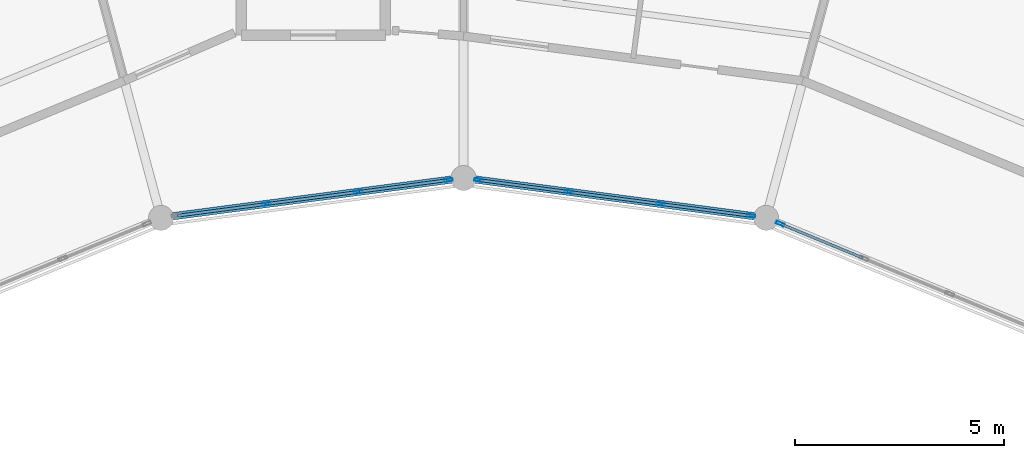
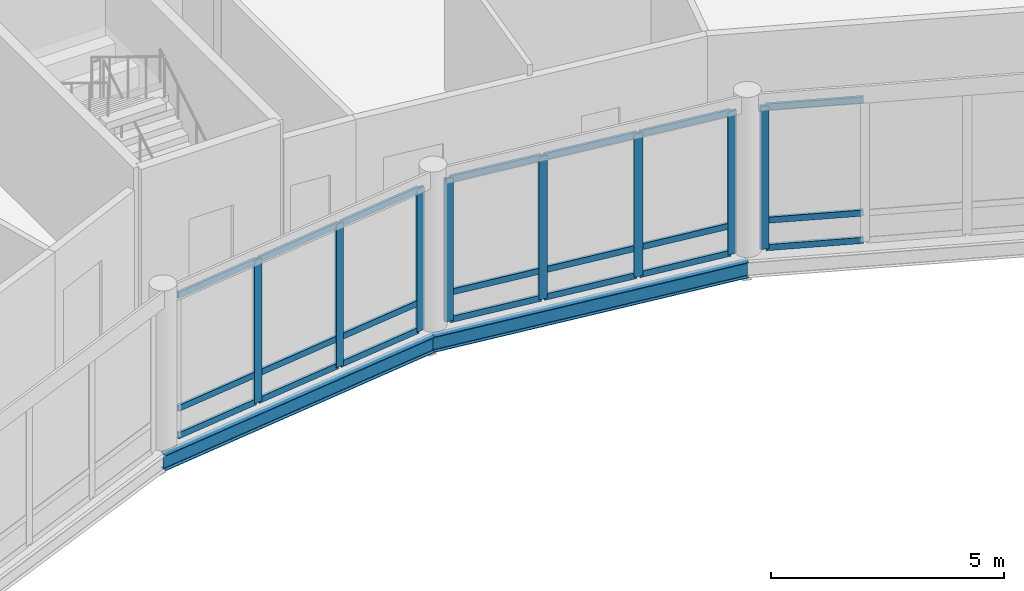
# One storey, part 78 of 170: 29 members, 2 beams, 3 elements without a shape of their own.
"""IFC4 building model written with IfcOpenShell, lengths in metres."""

from ifc_helpers import new_model, si_unit, direction, frame, origin, origin_2d, place, context, subcontext, project, spatial, hollow_rectangle, i_section, extrude, material, material_profile, profile_set, type_object, element, aggregate, save


model = new_model("IFC4")

# Units and contexts
model_context = context("Model", 3, precision=1e-05, world=origin(), true_north=direction((0.0, 1.0)))
body_context = subcontext(model_context, "Body", "Model", "MODEL_VIEW")
ifc_project = project(units=[si_unit("LENGTHUNIT", "METRE"), si_unit("AREAUNIT", "SQUARE_METRE"), si_unit("VOLUMEUNIT", "CUBIC_METRE"), si_unit("PLANEANGLEUNIT", "RADIAN"), si_unit("MASSUNIT", "GRAM", prefix="KILO")], contexts=[model_context])

# Site, building, storey
site_placement = place(None, origin())
site = spatial("IfcSite", under=ifc_project, at=site_placement, CompositionType="ELEMENT")
building_placement = place(site_placement, origin())
building = spatial("IfcBuilding", under=site, at=building_placement, Name="Vondelvale Polytechnic", CompositionType="ELEMENT")
storey_placement = place(building_placement, frame((0.0, 0.0, 5.39990234375)))
storey = spatial("IfcBuildingStorey", under=building, at=storey_placement, Name="L01", CompositionType="ELEMENT", Elevation=5.39990234375)

# Beams
ifc_material_1 = material(Name="Steel 300PLUS (fy = 300 MPa)", Category="steel")
ifc_material_profile_1 = material_profile(ifc_material_1, i_section(OverallWidth=0.177978515625, OverallDepth=0.406005859375, WebThickness=0.0078125, FlangeThickness=0.0126953125, FilletRadius=0.011474609375, at=origin_2d()), Name="410UB59.7")
ifc_profile_set_1 = profile_set([ifc_material_profile_1], Name="Steel 300PLUS (fy = 300 MPa)")
beam_type = type_object("IfcBeamType", Name="BM-UB410", PredefinedType="BEAM", material=ifc_profile_set_1)
for number, where, z_axis, x_axis, name in (
    (1, (109.246826171875, 99.0458984375, -0.48291015625), (-0.991444174467, 0.13053140969, 0.0), (-0.13053140969, -0.991444174467, 0.0), "L01 RB B-14"),
    (2, (102.0, 100.0, -0.48291015625), (-0.991444174467, -0.13053140969, 0.0), (0.13053140969, -0.991444174467, 0.0), "L01 RB B-14"),
):
    element("IfcBeam", number, at=place(storey_placement, frame(where, z_axis=z_axis, x_axis=x_axis)), inside=storey, type_object=beam_type, Name=name, PredefinedType="BEAM", context=body_context, shape_type="SweptSolid", body=[
        extrude(i_section(OverallWidth=0.177978515625, OverallDepth=0.406005859375, WebThickness=0.0078125, FlangeThickness=0.0126953125, FilletRadius=0.011474609375, at=origin_2d()), origin(), (0.0, 0.0, 1.0), 7.309326171875),
    ])

# Curtain wall, member
ifc_material_2 = material(Name="Anodised extruded aluminium 6063-T6", Category="aluminium")
curtain_wall_type = type_object("IfcCurtainWallType", Name="CW-RING-CLOISTER", PredefinedType="NOTDEFINED", material=ifc_material_2)
curtain_wall_1_placement = place(storey_placement, origin())
curtain_wall_1 = element("IfcCurtainWall", 3, at=curtain_wall_1_placement, inside=storey, type_object=curtain_wall_type, Name="L01 architectural curtain wall CW-03-115", PredefinedType="NOTDEFINED")
ifc_material_profile_2 = material_profile(ifc_material_2, hollow_rectangle(XDim=0.070068359375, YDim=0.199951171875, WallThickness=0.00390625, at=origin_2d()), Name="CW-MUL-200x70")
ifc_profile_set_2 = profile_set([ifc_material_profile_2], Name="Anodised extruded aluminium 6063-T6")
member_type_1 = type_object("IfcMemberType", Name="CW-MUL-70x200", PredefinedType="MULLION", material=ifc_profile_set_2)
member_1_placement = place(storey_placement, frame((109.584228515625, 98.90625, 0.0), z_axis=(0.0, 0.0, 1.0), x_axis=(-0.382678531697, -0.923881562419, 0.0)))
member_1 = element("IfcMember", 4, at=member_1_placement, type_object=member_type_1, Name="CW-03-115 mullion 4", PredefinedType="MULLION", context=body_context, shape_type="SweptSolid", body=[
    extrude(hollow_rectangle(XDim=0.070068359375, YDim=0.199951171875, WallThickness=0.00390625, at=origin_2d()), origin(), (0.0, 0.0, 1.0), 3.75),
])

# Curtain wall, members
curtain_wall_2_placement = place(storey_placement, origin())
curtain_wall_2 = element("IfcCurtainWall", 5, at=curtain_wall_2_placement, inside=storey, type_object=curtain_wall_type, Name="L01 architectural curtain wall CW-03-135", PredefinedType="NOTDEFINED")
member_2_placement = place(storey_placement, frame((108.886474609375, 99.09326171875, 0.0), z_axis=(0.0, 0.0, 1.0), x_axis=(-0.130528007165, -0.99144462243, 0.0)))
member_2 = element("IfcMember", 6, at=member_2_placement, type_object=member_type_1, Name="CW-03-135 mullion 1", PredefinedType="MULLION", context=body_context, shape_type="SweptSolid", body=[
    extrude(hollow_rectangle(XDim=0.070068359375, YDim=0.199951171875, WallThickness=0.00390625, at=origin_2d()), origin(), (0.0, 0.0, 1.0), 3.75),
])
member_3_placement = place(storey_placement, frame((106.72265625, 99.378173828125, 0.0), z_axis=(0.0, 0.0, 1.0), x_axis=(-0.130528007165, -0.99144462243, 0.0)))
member_3 = element("IfcMember", 7, at=member_3_placement, type_object=member_type_1, Name="CW-03-135 mullion 2", PredefinedType="MULLION", context=body_context, shape_type="SweptSolid", body=[
    extrude(hollow_rectangle(XDim=0.070068359375, YDim=0.199951171875, WallThickness=0.00390625, at=origin_2d()), origin(), (0.0, 0.0, 1.0), 3.75),
])
member_4_placement = place(storey_placement, frame((104.524169921875, 99.667724609375, 0.0), z_axis=(0.0, 0.0, 1.0), x_axis=(-0.130528007165, -0.99144462243, 0.0)))
member_4 = element("IfcMember", 8, at=member_4_placement, type_object=member_type_1, Name="CW-03-135 mullion 3", PredefinedType="MULLION", context=body_context, shape_type="SweptSolid", body=[
    extrude(hollow_rectangle(XDim=0.070068359375, YDim=0.199951171875, WallThickness=0.00390625, at=origin_2d()), origin(), (0.0, 0.0, 1.0), 3.75),
])
member_5_placement = place(storey_placement, frame((102.360595703125, 99.95263671875, 0.0), z_axis=(0.0, 0.0, 1.0), x_axis=(-0.130528007165, -0.99144462243, 0.0)))
member_5 = element("IfcMember", 9, at=member_5_placement, type_object=member_type_1, Name="CW-03-135 mullion 4", PredefinedType="MULLION", context=body_context, shape_type="SweptSolid", body=[
    extrude(hollow_rectangle(XDim=0.070068359375, YDim=0.199951171875, WallThickness=0.00390625, at=origin_2d()), origin(), (0.0, 0.0, 1.0), 3.75),
])

curtain_wall_3_placement = place(storey_placement, origin())
curtain_wall_3 = element("IfcCurtainWall", 10, at=curtain_wall_3_placement, inside=storey, type_object=curtain_wall_type, Name="L01 architectural curtain wall CW-03-155", PredefinedType="NOTDEFINED")
member_6_placement = place(storey_placement, frame((101.639404296875, 99.95263671875, 0.0), z_axis=(0.0, 0.0, 1.0), x_axis=(0.130528007165, -0.99144462243, 0.0)))
member_6 = element("IfcMember", 11, at=member_6_placement, type_object=member_type_1, Name="CW-03-155 mullion 1", PredefinedType="MULLION", context=body_context, shape_type="SweptSolid", body=[
    extrude(hollow_rectangle(XDim=0.070068359375, YDim=0.199951171875, WallThickness=0.00390625, at=origin_2d()), origin(), (0.0, 0.0, 1.0), 3.75),
])
member_7_placement = place(storey_placement, frame((99.475830078125, 99.667724609375, 0.0), z_axis=(0.0, 0.0, 1.0), x_axis=(0.130528007165, -0.99144462243, 0.0)))
member_7 = element("IfcMember", 12, at=member_7_placement, type_object=member_type_1, Name="CW-03-155 mullion 2", PredefinedType="MULLION", context=body_context, shape_type="SweptSolid", body=[
    extrude(hollow_rectangle(XDim=0.070068359375, YDim=0.199951171875, WallThickness=0.00390625, at=origin_2d()), origin(), (0.0, 0.0, 1.0), 3.75),
])
member_8_placement = place(storey_placement, frame((97.27734375, 99.378173828125, 0.0), z_axis=(0.0, 0.0, 1.0), x_axis=(0.130528007165, -0.99144462243, 0.0)))
member_8 = element("IfcMember", 13, at=member_8_placement, type_object=member_type_1, Name="CW-03-155 mullion 3", PredefinedType="MULLION", context=body_context, shape_type="SweptSolid", body=[
    extrude(hollow_rectangle(XDim=0.070068359375, YDim=0.199951171875, WallThickness=0.00390625, at=origin_2d()), origin(), (0.0, 0.0, 1.0), 3.75),
])

# Member
ifc_material_profile_3 = material_profile(ifc_material_2, hollow_rectangle(XDim=0.06494140625, YDim=0.159912109375, WallThickness=0.00341796875, at=origin_2d()), Name="CW-TRN-160x65")
ifc_profile_set_3 = profile_set([ifc_material_profile_3], Name="Anodised extruded aluminium 6063-T6")
member_type_2 = type_object("IfcMemberType", Name="CW-TRN-70x160", PredefinedType="USERDEFINED", material=ifc_profile_set_3)
member_9_placement = place(storey_placement, frame((111.567138671875, 98.084716796875, 0.03271484375), z_axis=(-0.923861804277, 0.382726229306, 0.0), x_axis=(-0.382726229306, -0.923861804277, 0.0)))
member_9 = element("IfcMember", 14, at=member_9_placement, type_object=member_type_2, Name="CW-03-115 transom 3.1", ObjectType="TRANSOM", PredefinedType="USERDEFINED", context=body_context, shape_type="SweptSolid", body=[
    extrude(hollow_rectangle(XDim=0.06494140625, YDim=0.159912109375, WallThickness=0.00341796875, at=origin_2d()), origin(), (0.0, 0.0, 1.0), 2.111328125),
])

member_10_placement = place(storey_placement, frame((111.567138671875, 98.084716796875, 0.75), z_axis=(-0.923861804277, 0.382726229306, 0.0), x_axis=(-0.382726229306, -0.923861804277, 0.0)))
member_10 = element("IfcMember", 15, at=member_10_placement, type_object=member_type_2, Name="CW-03-115 transom 3.2", ObjectType="TRANSOM", PredefinedType="USERDEFINED", context=body_context, shape_type="SweptSolid", body=[
    extrude(hollow_rectangle(XDim=0.06494140625, YDim=0.159912109375, WallThickness=0.00341796875, at=origin_2d()), origin(), (0.0, 0.0, 1.0), 2.111328125),
])

member_11_placement = place(storey_placement, frame((111.567138671875, 98.084716796875, 3.717529296875), z_axis=(-0.923861804277, 0.382726229306, 0.0), x_axis=(-0.382726229306, -0.923861804277, 0.0)))
member_11 = element("IfcMember", 16, at=member_11_placement, type_object=member_type_2, Name="CW-03-115 transom 3.3", ObjectType="TRANSOM", PredefinedType="USERDEFINED", context=body_context, shape_type="SweptSolid", body=[
    extrude(hollow_rectangle(XDim=0.06494140625, YDim=0.159912109375, WallThickness=0.00341796875, at=origin_2d()), origin(), (0.0, 0.0, 1.0), 2.111328125),
])

aggregate(curtain_wall_1, [member_1, member_9, member_10, member_11])

member_12_placement = place(storey_placement, frame((108.851806640625, 99.097900390625, 0.03271484375), z_axis=(-0.991436585775, 0.130589036243, 0.0), x_axis=(-0.130589036243, -0.991436585775, 0.0)))
member_12 = element("IfcMember", 17, at=member_12_placement, type_object=member_type_2, Name="CW-03-135 transom 1.1", ObjectType="TRANSOM", PredefinedType="USERDEFINED", context=body_context, shape_type="SweptSolid", body=[
    extrude(hollow_rectangle(XDim=0.06494140625, YDim=0.159912109375, WallThickness=0.00341796875, at=origin_2d()), origin(), (0.0, 0.0, 1.0), 2.112548828125),
])

member_13_placement = place(storey_placement, frame((108.851806640625, 99.097900390625, 0.75), z_axis=(-0.991436585775, 0.130589036243, 0.0), x_axis=(-0.130589036243, -0.991436585775, 0.0)))
member_13 = element("IfcMember", 18, at=member_13_placement, type_object=member_type_2, Name="CW-03-135 transom 1.2", ObjectType="TRANSOM", PredefinedType="USERDEFINED", context=body_context, shape_type="SweptSolid", body=[
    extrude(hollow_rectangle(XDim=0.06494140625, YDim=0.159912109375, WallThickness=0.00341796875, at=origin_2d()), origin(), (0.0, 0.0, 1.0), 2.112548828125),
])

member_14_placement = place(storey_placement, frame((108.851806640625, 99.097900390625, 3.717529296875), z_axis=(-0.991436585775, 0.130589036243, 0.0), x_axis=(-0.130589036243, -0.991436585775, 0.0)))
member_14 = element("IfcMember", 19, at=member_14_placement, type_object=member_type_2, Name="CW-03-135 transom 1.3", ObjectType="TRANSOM", PredefinedType="USERDEFINED", context=body_context, shape_type="SweptSolid", body=[
    extrude(hollow_rectangle(XDim=0.06494140625, YDim=0.159912109375, WallThickness=0.00341796875, at=origin_2d()), origin(), (0.0, 0.0, 1.0), 2.112548828125),
])

member_15_placement = place(storey_placement, frame((106.68798828125, 99.3828125, 0.03271484375), z_axis=(-0.991446941977, 0.1305103875, 0.0), x_axis=(-0.1305103875, -0.991446941977, 0.0)))
member_15 = element("IfcMember", 20, at=member_15_placement, type_object=member_type_2, Name="CW-03-135 transom 2.1", ObjectType="TRANSOM", PredefinedType="USERDEFINED", context=body_context, shape_type="SweptSolid", body=[
    extrude(hollow_rectangle(XDim=0.06494140625, YDim=0.159912109375, WallThickness=0.00341796875, at=origin_2d()), origin(), (0.0, 0.0, 1.0), 2.1474609375),
])

member_16_placement = place(storey_placement, frame((106.68798828125, 99.3828125, 0.75), z_axis=(-0.991446941977, 0.1305103875, 0.0), x_axis=(-0.1305103875, -0.991446941977, 0.0)))
member_16 = element("IfcMember", 21, at=member_16_placement, type_object=member_type_2, Name="CW-03-135 transom 2.2", ObjectType="TRANSOM", PredefinedType="USERDEFINED", context=body_context, shape_type="SweptSolid", body=[
    extrude(hollow_rectangle(XDim=0.06494140625, YDim=0.159912109375, WallThickness=0.00341796875, at=origin_2d()), origin(), (0.0, 0.0, 1.0), 2.1474609375),
])

member_17_placement = place(storey_placement, frame((106.68798828125, 99.3828125, 3.717529296875), z_axis=(-0.991446941977, 0.1305103875, 0.0), x_axis=(-0.1305103875, -0.991446941977, 0.0)))
member_17 = element("IfcMember", 22, at=member_17_placement, type_object=member_type_2, Name="CW-03-135 transom 2.3", ObjectType="TRANSOM", PredefinedType="USERDEFINED", context=body_context, shape_type="SweptSolid", body=[
    extrude(hollow_rectangle(XDim=0.06494140625, YDim=0.159912109375, WallThickness=0.00341796875, at=origin_2d()), origin(), (0.0, 0.0, 1.0), 2.1474609375),
])

member_18_placement = place(storey_placement, frame((104.489501953125, 99.672119140625, 0.03271484375), z_axis=(-0.99143461464, 0.130604000296, 0.0), x_axis=(-0.130604000296, -0.99143461464, 0.0)))
member_18 = element("IfcMember", 23, at=member_18_placement, type_object=member_type_2, Name="CW-03-135 transom 3.1", ObjectType="TRANSOM", PredefinedType="USERDEFINED", context=body_context, shape_type="SweptSolid", body=[
    extrude(hollow_rectangle(XDim=0.06494140625, YDim=0.159912109375, WallThickness=0.00341796875, at=origin_2d()), origin(), (0.0, 0.0, 1.0), 2.1123046875),
])

member_19_placement = place(storey_placement, frame((104.489501953125, 99.672119140625, 0.75), z_axis=(-0.99143461464, 0.130604000296, 0.0), x_axis=(-0.130604000296, -0.99143461464, 0.0)))
member_19 = element("IfcMember", 24, at=member_19_placement, type_object=member_type_2, Name="CW-03-135 transom 3.2", ObjectType="TRANSOM", PredefinedType="USERDEFINED", context=body_context, shape_type="SweptSolid", body=[
    extrude(hollow_rectangle(XDim=0.06494140625, YDim=0.159912109375, WallThickness=0.00341796875, at=origin_2d()), origin(), (0.0, 0.0, 1.0), 2.1123046875),
])

member_20_placement = place(storey_placement, frame((104.489501953125, 99.672119140625, 3.717529296875), z_axis=(-0.99143461464, 0.130604000296, 0.0), x_axis=(-0.130604000296, -0.99143461464, 0.0)))
member_20 = element("IfcMember", 25, at=member_20_placement, type_object=member_type_2, Name="CW-03-135 transom 3.3", ObjectType="TRANSOM", PredefinedType="USERDEFINED", context=body_context, shape_type="SweptSolid", body=[
    extrude(hollow_rectangle(XDim=0.06494140625, YDim=0.159912109375, WallThickness=0.00341796875, at=origin_2d()), origin(), (0.0, 0.0, 1.0), 2.1123046875),
])

aggregate(curtain_wall_2, [member_2, member_3, member_4, member_5, member_12, member_13, member_14, member_15, member_16, member_17, member_18, member_19, member_20])

member_21_placement = place(storey_placement, frame((101.604736328125, 99.947998046875, 0.03271484375), z_axis=(-0.99143461464, -0.130604000296, 0.0), x_axis=(0.130604000296, -0.99143461464, 0.0)))
member_21 = element("IfcMember", 26, at=member_21_placement, type_object=member_type_2, Name="CW-03-155 transom 1.1", ObjectType="TRANSOM", PredefinedType="USERDEFINED", context=body_context, shape_type="SweptSolid", body=[
    extrude(hollow_rectangle(XDim=0.06494140625, YDim=0.159912109375, WallThickness=0.00341796875, at=origin_2d()), origin(), (0.0, 0.0, 1.0), 2.1123046875),
])

member_22_placement = place(storey_placement, frame((101.604736328125, 99.947998046875, 0.75), z_axis=(-0.99143461464, -0.130604000296, 0.0), x_axis=(0.130604000296, -0.99143461464, 0.0)))
member_22 = element("IfcMember", 27, at=member_22_placement, type_object=member_type_2, Name="CW-03-155 transom 1.2", ObjectType="TRANSOM", PredefinedType="USERDEFINED", context=body_context, shape_type="SweptSolid", body=[
    extrude(hollow_rectangle(XDim=0.06494140625, YDim=0.159912109375, WallThickness=0.00341796875, at=origin_2d()), origin(), (0.0, 0.0, 1.0), 2.1123046875),
])

member_23_placement = place(storey_placement, frame((101.604736328125, 99.947998046875, 3.717529296875), z_axis=(-0.99143461464, -0.130604000296, 0.0), x_axis=(0.130604000296, -0.99143461464, 0.0)))
member_23 = element("IfcMember", 28, at=member_23_placement, type_object=member_type_2, Name="CW-03-155 transom 1.3", ObjectType="TRANSOM", PredefinedType="USERDEFINED", context=body_context, shape_type="SweptSolid", body=[
    extrude(hollow_rectangle(XDim=0.06494140625, YDim=0.159912109375, WallThickness=0.00341796875, at=origin_2d()), origin(), (0.0, 0.0, 1.0), 2.1123046875),
])

member_24_placement = place(storey_placement, frame((99.441162109375, 99.6630859375, 0.03271484375), z_axis=(-0.991446941977, -0.1305103875, 0.0), x_axis=(0.1305103875, -0.991446941977, 0.0)))
member_24 = element("IfcMember", 29, at=member_24_placement, type_object=member_type_2, Name="CW-03-155 transom 2.1", ObjectType="TRANSOM", PredefinedType="USERDEFINED", context=body_context, shape_type="SweptSolid", body=[
    extrude(hollow_rectangle(XDim=0.06494140625, YDim=0.159912109375, WallThickness=0.00341796875, at=origin_2d()), origin(), (0.0, 0.0, 1.0), 2.1474609375),
])

member_25_placement = place(storey_placement, frame((99.441162109375, 99.6630859375, 0.75), z_axis=(-0.991446941977, -0.1305103875, 0.0), x_axis=(0.1305103875, -0.991446941977, 0.0)))
member_25 = element("IfcMember", 30, at=member_25_placement, type_object=member_type_2, Name="CW-03-155 transom 2.2", ObjectType="TRANSOM", PredefinedType="USERDEFINED", context=body_context, shape_type="SweptSolid", body=[
    extrude(hollow_rectangle(XDim=0.06494140625, YDim=0.159912109375, WallThickness=0.00341796875, at=origin_2d()), origin(), (0.0, 0.0, 1.0), 2.1474609375),
])

member_26_placement = place(storey_placement, frame((99.441162109375, 99.6630859375, 3.717529296875), z_axis=(-0.991446941977, -0.1305103875, 0.0), x_axis=(0.1305103875, -0.991446941977, 0.0)))
member_26 = element("IfcMember", 31, at=member_26_placement, type_object=member_type_2, Name="CW-03-155 transom 2.3", ObjectType="TRANSOM", PredefinedType="USERDEFINED", context=body_context, shape_type="SweptSolid", body=[
    extrude(hollow_rectangle(XDim=0.06494140625, YDim=0.159912109375, WallThickness=0.00341796875, at=origin_2d()), origin(), (0.0, 0.0, 1.0), 2.1474609375),
])

member_27_placement = place(storey_placement, frame((97.24267578125, 99.373779296875, 0.03271484375), z_axis=(-0.991436585775, -0.130589036243, 0.0), x_axis=(0.130589036243, -0.991436585775, 0.0)))
member_27 = element("IfcMember", 32, at=member_27_placement, type_object=member_type_2, Name="CW-03-155 transom 3.1", ObjectType="TRANSOM", PredefinedType="USERDEFINED", context=body_context, shape_type="SweptSolid", body=[
    extrude(hollow_rectangle(XDim=0.06494140625, YDim=0.159912109375, WallThickness=0.00341796875, at=origin_2d()), origin(), (0.0, 0.0, 1.0), 2.112548828125),
])

member_28_placement = place(storey_placement, frame((97.24267578125, 99.373779296875, 0.75), z_axis=(-0.991436585775, -0.130589036243, 0.0), x_axis=(0.130589036243, -0.991436585775, 0.0)))
member_28 = element("IfcMember", 33, at=member_28_placement, type_object=member_type_2, Name="CW-03-155 transom 3.2", ObjectType="TRANSOM", PredefinedType="USERDEFINED", context=body_context, shape_type="SweptSolid", body=[
    extrude(hollow_rectangle(XDim=0.06494140625, YDim=0.159912109375, WallThickness=0.00341796875, at=origin_2d()), origin(), (0.0, 0.0, 1.0), 2.112548828125),
])

member_29_placement = place(storey_placement, frame((97.24267578125, 99.373779296875, 3.717529296875), z_axis=(-0.991436585775, -0.130589036243, 0.0), x_axis=(0.130589036243, -0.991436585775, 0.0)))
member_29 = element("IfcMember", 34, at=member_29_placement, type_object=member_type_2, Name="CW-03-155 transom 3.3", ObjectType="TRANSOM", PredefinedType="USERDEFINED", context=body_context, shape_type="SweptSolid", body=[
    extrude(hollow_rectangle(XDim=0.06494140625, YDim=0.159912109375, WallThickness=0.00341796875, at=origin_2d()), origin(), (0.0, 0.0, 1.0), 2.112548828125),
])

aggregate(curtain_wall_3, [member_6, member_7, member_8, member_21, member_22, member_23, member_24, member_25, member_26, member_27, member_28, member_29])

save(model, "model.ifc")
